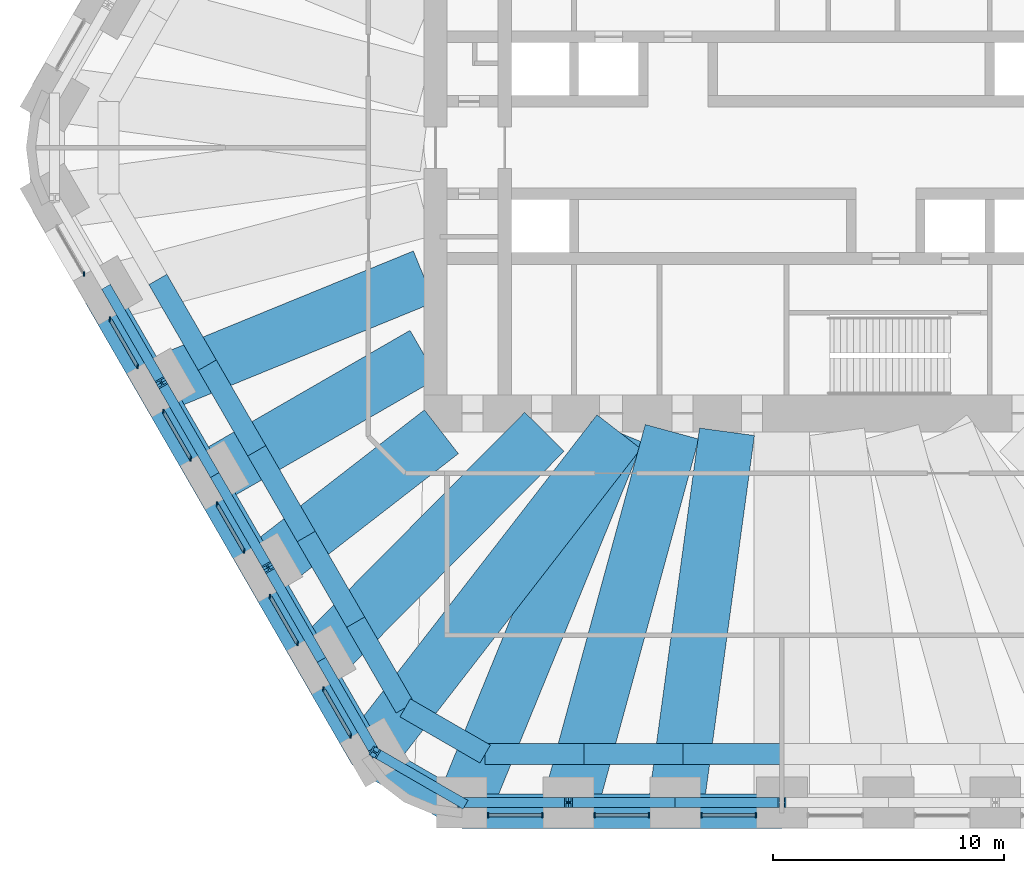
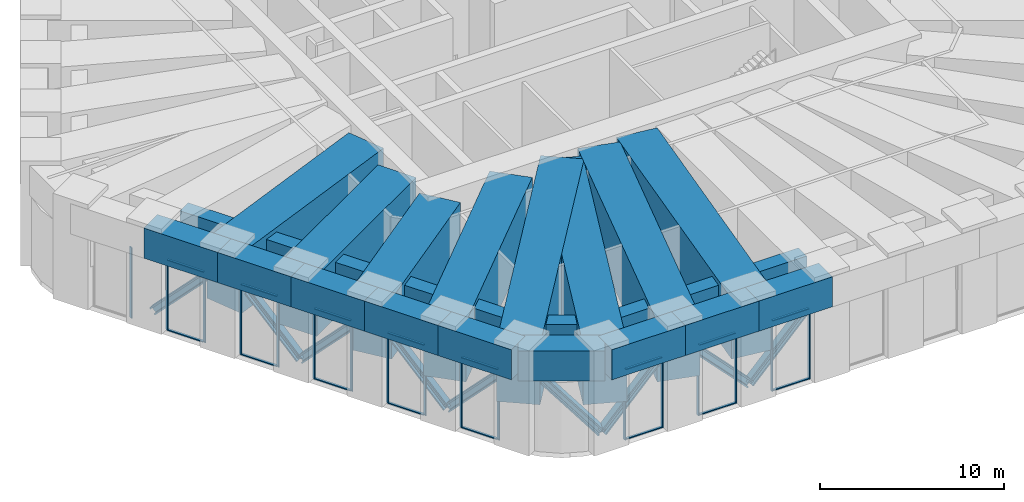
# One storey, part 2 of 14: 42 members, 26 beams, 9 elements without a shape of their own.
"""IFC4 building model written with IfcOpenShell, lengths in metres."""

from ifc_helpers import new_model, si_unit, direction, frame, origin, origin_2d, place, context, subcontext, project, spatial, rectangle, i_section, extrude, material, material_profile, profile_set, type_object, element, aggregate, save


model = new_model("IFC4")

# Units and contexts
model_context = context("Model", 3, precision=1e-05, world=origin(), true_north=direction((0.0, 1.0)))
body_context = subcontext(model_context, "Body", "Model", "MODEL_VIEW")
ifc_project = project(units=[si_unit("LENGTHUNIT", "METRE"), si_unit("AREAUNIT", "SQUARE_METRE"), si_unit("VOLUMEUNIT", "CUBIC_METRE"), si_unit("PLANEANGLEUNIT", "RADIAN"), si_unit("MASSUNIT", "GRAM", prefix="KILO")], contexts=[model_context])

# Site, building, storey
site_placement = place(None, origin())
site = spatial("IfcSite", under=ifc_project, at=site_placement, CompositionType="ELEMENT")
building_placement = place(site_placement, origin())
building = spatial("IfcBuilding", under=site, at=building_placement, Name="Tarfa Lantern Tower", CompositionType="ELEMENT")
storey_placement = place(building_placement, frame((0.0, 0.0, 299.5)))
storey = spatial("IfcBuildingStorey", under=building, at=storey_placement, Name="L68", CompositionType="ELEMENT", Elevation=299.5)

# Members
ifc_material_1 = material(Name="Steel S460M", Category="steel")
ifc_material_profile_1 = material_profile(ifc_material_1, i_section(OverallWidth=0.431884765625, OverallDepth=0.498046875, WebThickness=0.0556640625, FlangeThickness=0.0888671875, FilletRadius=0.02001953125, at=origin_2d()), Name="HD400x744")
ifc_profile_set_1 = profile_set([ifc_material_profile_1], Name="Steel S460M")
member_type_1 = type_object("IfcMemberType", Name="BT3 HD400x744", PredefinedType="BRACE", material=ifc_profile_set_1)
for number, where, z_axis, x_axis, name in (
    (1, (-29.170654296875, -6.175048828125, 0.60009765625), (0.346685053974, -0.600495604642, 0.720565404496), (0.866032426089, 0.499987836815, 0.0), "Belt truss diagonal 23"),
    (2, (-24.5517578125, -14.175048828125, 0.60009765625), (-0.346717299558, 0.600487974203, 0.720556248342), (-0.866009537788, -0.500027479704, 0.0), "Belt truss diagonal 24"),
    (3, (-24.5517578125, -14.175048828125, 0.60009765625), (0.346685053974, -0.600495604642, 0.720565404496), (0.866032426089, 0.499987836815, 0.0), "Belt truss diagonal 25"),
    (4, (-19.93310546875, -22.175048828125, 0.60009765625), (-0.346685053974, 0.600495604642, 0.720565404496), (-0.866032426089, -0.499987836815, 0.0), "Belt truss diagonal 26"),
    (5, (-19.93310546875, -22.175048828125, 0.60009765625), (0.346717299558, -0.600487974203, 0.720556248342), (0.866009537788, 0.500027479704, 0.0), "Belt truss diagonal 27"),
):
    element("IfcMember", number, at=place(storey_placement, frame(where, z_axis=z_axis, x_axis=x_axis)), inside=storey, type_object=member_type_1, Name=name, PredefinedType="BRACE", context=body_context, shape_type="SweptSolid", body=[
        extrude(i_section(OverallWidth=0.431884765625, OverallDepth=0.498046875, WebThickness=0.0556640625, FlangeThickness=0.0888671875, FilletRadius=0.02001953125, at=origin_2d()), origin(), (0.0, 0.0, 1.0), 6.6611328125),
    ])
member_1_placement = place(storey_placement, frame((-13.8564453125, -28.35009765625, 0.60009765625), z_axis=(-0.581552074424, 0.335777539277, 0.740979506363), x_axis=(-0.500020430026, -0.866013608182, 0.0)))
element("IfcMember", 6, at=member_1_placement, inside=storey, type_object=member_type_1, Name="Belt truss diagonal 28", PredefinedType="BRACE", context=body_context, shape_type="SweptSolid", body=[
    extrude(i_section(OverallWidth=0.431884765625, OverallDepth=0.498046875, WebThickness=0.0556640625, FlangeThickness=0.0888671875, FilletRadius=0.02001953125, at=origin_2d()), origin(), (0.0, 0.0, 1.0), 6.4775390625),
])
member_2_placement = place(storey_placement, frame((-13.8564453125, -28.35009765625, 0.60009765625), z_axis=(0.693397247337, 0.0, 0.720555519988), x_axis=(0.0, 1.0, 0.0)))
element("IfcMember", 7, at=member_2_placement, inside=storey, type_object=member_type_1, Name="Belt truss diagonal 29", PredefinedType="BRACE", context=body_context, shape_type="SweptSolid", body=[
    extrude(i_section(OverallWidth=0.431884765625, OverallDepth=0.498046875, WebThickness=0.0556640625, FlangeThickness=0.0888671875, FilletRadius=0.02001953125, at=origin_2d()), origin(), (0.0, 0.0, 1.0), 6.661376953125),
])
member_3_placement = place(storey_placement, frame((-4.618896484375, -28.35009765625, 0.60009765625), z_axis=(-0.693378217486, 0.0, 0.720573832106), x_axis=(0.0, -1.0, 0.0)))
element("IfcMember", 8, at=member_3_placement, inside=storey, type_object=member_type_1, Name="Belt truss diagonal 30", PredefinedType="BRACE", context=body_context, shape_type="SweptSolid", body=[
    extrude(i_section(OverallWidth=0.431884765625, OverallDepth=0.498046875, WebThickness=0.0556640625, FlangeThickness=0.0888671875, FilletRadius=0.02001953125, at=origin_2d()), origin(), (0.0, 0.0, 1.0), 6.6611328125),
])
member_4_placement = place(storey_placement, frame((-4.618896484375, -28.35009765625, 0.60009765625), z_axis=(0.693397247337, 0.0, 0.720555519988), x_axis=(0.0, 1.0, 0.0)))
element("IfcMember", 9, at=member_4_placement, inside=storey, type_object=member_type_1, Name="Belt truss diagonal 31", PredefinedType="BRACE", context=body_context, shape_type="SweptSolid", body=[
    extrude(i_section(OverallWidth=0.431884765625, OverallDepth=0.498046875, WebThickness=0.0556640625, FlangeThickness=0.0888671875, FilletRadius=0.02001953125, at=origin_2d()), origin(), (0.0, 0.0, 1.0), 6.661376953125),
])

# Curtain wall, member
ifc_material_2 = material(Name="Aluminium framed curtain wall", Category="aluminium")
curtain_wall_type = type_object("IfcCurtainWallType", Name="CW6 LOUVRED SCREEN WALL 4700", PredefinedType="USERDEFINED", material=ifc_material_2)
curtain_wall_1_placement = place(storey_placement, origin())
curtain_wall_1 = element("IfcCurtainWall", 10, at=curtain_wall_1_placement, inside=storey, type_object=curtain_wall_type, Name="CW6 SW L68", ObjectType="CURTAIN WALL", PredefinedType="USERDEFINED")
ifc_material_3 = material(Name="Aluminium mullion", Category="aluminium")
ifc_material_profile_2 = material_profile(ifc_material_3, rectangle(XDim=0.06494140625, YDim=0.199951171875, at=origin_2d()), Name="AL MULLION 65x200")
ifc_profile_set_2 = profile_set([ifc_material_profile_2], Name="Aluminium mullion")
member_type_2 = type_object("IfcMemberType", Name="CWM1 MULLION 65x200", PredefinedType="MULLION", material=ifc_profile_set_2)
member_5_placement = place(storey_placement, frame((-30.213134765625, -5.46923828125, 0.0), z_axis=(0.0, 0.0, 1.0), x_axis=(1.0, 0.0, 0.0)))
member_5 = element("IfcMember", 11, at=member_5_placement, type_object=member_type_2, Name="CW6 mullion 2", PredefinedType="MULLION", context=body_context, shape_type="SweptSolid", body=[
    extrude(rectangle(XDim=0.06494140625, YDim=0.199951171875, at=origin_2d()), origin(), (0.0, 0.0, 1.0), 4.699951171875),
])
aggregate(curtain_wall_1, [member_5])

# Curtain wall, members
curtain_wall_2_placement = place(storey_placement, origin())
curtain_wall_2 = element("IfcCurtainWall", 12, at=curtain_wall_2_placement, inside=storey, type_object=curtain_wall_type, Name="CW6 SW L68", ObjectType="CURTAIN WALL", PredefinedType="USERDEFINED")
member_6_placement = place(storey_placement, frame((-29.08056640625, -7.4306640625, 0.0), z_axis=(0.0, 0.0, 1.0), x_axis=(1.0, 0.0, 0.0)))
member_6 = element("IfcMember", 13, at=member_6_placement, type_object=member_type_2, Name="CW6 mullion 1", PredefinedType="MULLION", context=body_context, shape_type="SweptSolid", body=[
    extrude(rectangle(XDim=0.06494140625, YDim=0.199951171875, at=origin_2d()), origin(), (0.0, 0.0, 1.0), 4.699951171875),
])
member_7_placement = place(storey_placement, frame((-27.90380859375, -9.46923828125, 0.0), z_axis=(0.0, 0.0, 1.0), x_axis=(1.0, 0.0, 0.0)))
member_7 = element("IfcMember", 14, at=member_7_placement, type_object=member_type_2, Name="CW6 mullion 2", PredefinedType="MULLION", context=body_context, shape_type="SweptSolid", body=[
    extrude(rectangle(XDim=0.06494140625, YDim=0.199951171875, at=origin_2d()), origin(), (0.0, 0.0, 1.0), 4.699951171875),
])

curtain_wall_3_placement = place(storey_placement, origin())
curtain_wall_3 = element("IfcCurtainWall", 15, at=curtain_wall_3_placement, inside=storey, type_object=curtain_wall_type, Name="CW6 SW L68", ObjectType="CURTAIN WALL", PredefinedType="USERDEFINED")
member_8_placement = place(storey_placement, frame((-26.771240234375, -11.4306640625, 0.0), z_axis=(0.0, 0.0, 1.0), x_axis=(1.0, 0.0, 0.0)))
member_8 = element("IfcMember", 16, at=member_8_placement, type_object=member_type_2, Name="CW6 mullion 1", PredefinedType="MULLION", context=body_context, shape_type="SweptSolid", body=[
    extrude(rectangle(XDim=0.06494140625, YDim=0.199951171875, at=origin_2d()), origin(), (0.0, 0.0, 1.0), 4.699951171875),
])
member_9_placement = place(storey_placement, frame((-25.594482421875, -13.46923828125, 0.0), z_axis=(0.0, 0.0, 1.0), x_axis=(1.0, 0.0, 0.0)))
member_9 = element("IfcMember", 17, at=member_9_placement, type_object=member_type_2, Name="CW6 mullion 2", PredefinedType="MULLION", context=body_context, shape_type="SweptSolid", body=[
    extrude(rectangle(XDim=0.06494140625, YDim=0.199951171875, at=origin_2d()), origin(), (0.0, 0.0, 1.0), 4.699951171875),
])

curtain_wall_4_placement = place(storey_placement, origin())
curtain_wall_4 = element("IfcCurtainWall", 18, at=curtain_wall_4_placement, inside=storey, type_object=curtain_wall_type, Name="CW6 SW L68", ObjectType="CURTAIN WALL", PredefinedType="USERDEFINED")
member_10_placement = place(storey_placement, frame((-24.4619140625, -15.4306640625, 0.0), z_axis=(0.0, 0.0, 1.0), x_axis=(1.0, 0.0, 0.0)))
member_10 = element("IfcMember", 19, at=member_10_placement, type_object=member_type_2, Name="CW6 mullion 1", PredefinedType="MULLION", context=body_context, shape_type="SweptSolid", body=[
    extrude(rectangle(XDim=0.06494140625, YDim=0.199951171875, at=origin_2d()), origin(), (0.0, 0.0, 1.0), 4.699951171875),
])
member_11_placement = place(storey_placement, frame((-23.284912109375, -17.46923828125, 0.0), z_axis=(0.0, 0.0, 1.0), x_axis=(1.0, 0.0, 0.0)))
member_11 = element("IfcMember", 20, at=member_11_placement, type_object=member_type_2, Name="CW6 mullion 2", PredefinedType="MULLION", context=body_context, shape_type="SweptSolid", body=[
    extrude(rectangle(XDim=0.06494140625, YDim=0.199951171875, at=origin_2d()), origin(), (0.0, 0.0, 1.0), 4.699951171875),
])

curtain_wall_5_placement = place(storey_placement, origin())
curtain_wall_5 = element("IfcCurtainWall", 21, at=curtain_wall_5_placement, inside=storey, type_object=curtain_wall_type, Name="CW6 SW L68", ObjectType="CURTAIN WALL", PredefinedType="USERDEFINED")
member_12_placement = place(storey_placement, frame((-22.152587890625, -19.4306640625, 0.0), z_axis=(0.0, 0.0, 1.0), x_axis=(1.0, 0.0, 0.0)))
member_12 = element("IfcMember", 22, at=member_12_placement, type_object=member_type_2, Name="CW6 mullion 1", PredefinedType="MULLION", context=body_context, shape_type="SweptSolid", body=[
    extrude(rectangle(XDim=0.06494140625, YDim=0.199951171875, at=origin_2d()), origin(), (0.0, 0.0, 1.0), 4.699951171875),
])
member_13_placement = place(storey_placement, frame((-20.9755859375, -21.46923828125, 0.0), z_axis=(0.0, 0.0, 1.0), x_axis=(1.0, 0.0, 0.0)))
member_13 = element("IfcMember", 23, at=member_13_placement, type_object=member_type_2, Name="CW6 mullion 2", PredefinedType="MULLION", context=body_context, shape_type="SweptSolid", body=[
    extrude(rectangle(XDim=0.06494140625, YDim=0.199951171875, at=origin_2d()), origin(), (0.0, 0.0, 1.0), 4.699951171875),
])

curtain_wall_6_placement = place(storey_placement, origin())
curtain_wall_6 = element("IfcCurtainWall", 24, at=curtain_wall_6_placement, inside=storey, type_object=curtain_wall_type, Name="CW6 SW L68", ObjectType="CURTAIN WALL", PredefinedType="USERDEFINED")
member_14_placement = place(storey_placement, frame((-19.843017578125, -23.4306640625, 0.0), z_axis=(0.0, 0.0, 1.0), x_axis=(1.0, 0.0, 0.0)))
member_14 = element("IfcMember", 25, at=member_14_placement, type_object=member_type_2, Name="CW6 mullion 1", PredefinedType="MULLION", context=body_context, shape_type="SweptSolid", body=[
    extrude(rectangle(XDim=0.06494140625, YDim=0.199951171875, at=origin_2d()), origin(), (0.0, 0.0, 1.0), 4.699951171875),
])
member_15_placement = place(storey_placement, frame((-18.666259765625, -25.46923828125, 0.0), z_axis=(0.0, 0.0, 1.0), x_axis=(1.0, 0.0, 0.0)))
member_15 = element("IfcMember", 26, at=member_15_placement, type_object=member_type_2, Name="CW6 mullion 2", PredefinedType="MULLION", context=body_context, shape_type="SweptSolid", body=[
    extrude(rectangle(XDim=0.06494140625, YDim=0.199951171875, at=origin_2d()), origin(), (0.0, 0.0, 1.0), 4.699951171875),
])

curtain_wall_7_placement = place(storey_placement, origin())
curtain_wall_7 = element("IfcCurtainWall", 27, at=curtain_wall_7_placement, inside=storey, type_object=curtain_wall_type, Name="CW6 S L68", ObjectType="CURTAIN WALL", PredefinedType="USERDEFINED")
member_16_placement = place(storey_placement, frame((-12.723876953125, -28.89990234375, 0.0), z_axis=(0.0, 0.0, 1.0), x_axis=(1.0, 0.0, 0.0)))
member_16 = element("IfcMember", 28, at=member_16_placement, type_object=member_type_2, Name="CW6 mullion 1", PredefinedType="MULLION", context=body_context, shape_type="SweptSolid", body=[
    extrude(rectangle(XDim=0.06494140625, YDim=0.199951171875, at=origin_2d()), origin(), (0.0, 0.0, 1.0), 4.699951171875),
])
member_17_placement = place(storey_placement, frame((-10.3701171875, -28.89990234375, 0.0), z_axis=(0.0, 0.0, 1.0), x_axis=(1.0, 0.0, 0.0)))
member_17 = element("IfcMember", 29, at=member_17_placement, type_object=member_type_2, Name="CW6 mullion 2", PredefinedType="MULLION", context=body_context, shape_type="SweptSolid", body=[
    extrude(rectangle(XDim=0.06494140625, YDim=0.199951171875, at=origin_2d()), origin(), (0.0, 0.0, 1.0), 4.699951171875),
])

curtain_wall_8_placement = place(storey_placement, origin())
curtain_wall_8 = element("IfcCurtainWall", 30, at=curtain_wall_8_placement, inside=storey, type_object=curtain_wall_type, Name="CW6 S L68", ObjectType="CURTAIN WALL", PredefinedType="USERDEFINED")
member_18_placement = place(storey_placement, frame((-8.105224609375, -28.89990234375, 0.0), z_axis=(0.0, 0.0, 1.0), x_axis=(1.0, 0.0, 0.0)))
member_18 = element("IfcMember", 31, at=member_18_placement, type_object=member_type_2, Name="CW6 mullion 1", PredefinedType="MULLION", context=body_context, shape_type="SweptSolid", body=[
    extrude(rectangle(XDim=0.06494140625, YDim=0.199951171875, at=origin_2d()), origin(), (0.0, 0.0, 1.0), 4.699951171875),
])
member_19_placement = place(storey_placement, frame((-5.751220703125, -28.89990234375, 0.0), z_axis=(0.0, 0.0, 1.0), x_axis=(1.0, 0.0, 0.0)))
member_19 = element("IfcMember", 32, at=member_19_placement, type_object=member_type_2, Name="CW6 mullion 2", PredefinedType="MULLION", context=body_context, shape_type="SweptSolid", body=[
    extrude(rectangle(XDim=0.06494140625, YDim=0.199951171875, at=origin_2d()), origin(), (0.0, 0.0, 1.0), 4.699951171875),
])

curtain_wall_9_placement = place(storey_placement, origin())
curtain_wall_9 = element("IfcCurtainWall", 33, at=curtain_wall_9_placement, inside=storey, type_object=curtain_wall_type, Name="CW6 S L68", ObjectType="CURTAIN WALL", PredefinedType="USERDEFINED")
member_20_placement = place(storey_placement, frame((-3.486328125, -28.89990234375, 0.0), z_axis=(0.0, 0.0, 1.0), x_axis=(1.0, 0.0, 0.0)))
member_20 = element("IfcMember", 34, at=member_20_placement, type_object=member_type_2, Name="CW6 mullion 1", PredefinedType="MULLION", context=body_context, shape_type="SweptSolid", body=[
    extrude(rectangle(XDim=0.06494140625, YDim=0.199951171875, at=origin_2d()), origin(), (0.0, 0.0, 1.0), 4.699951171875),
])
member_21_placement = place(storey_placement, frame((-1.132568359375, -28.89990234375, 0.0), z_axis=(0.0, 0.0, 1.0), x_axis=(1.0, 0.0, 0.0)))
member_21 = element("IfcMember", 35, at=member_21_placement, type_object=member_type_2, Name="CW6 mullion 2", PredefinedType="MULLION", context=body_context, shape_type="SweptSolid", body=[
    extrude(rectangle(XDim=0.06494140625, YDim=0.199951171875, at=origin_2d()), origin(), (0.0, 0.0, 1.0), 4.699951171875),
])

# Member
ifc_material_4 = material(Name="Aluminium transom", Category="aluminium")
ifc_material_profile_3 = material_profile(ifc_material_4, rectangle(XDim=0.14990234375, YDim=0.06494140625, at=origin_2d()), Name="AL TRANSOM 150x65")
ifc_profile_set_3 = profile_set([ifc_material_profile_3], Name="Aluminium transom")
member_type_3 = type_object("IfcMemberType", Name="CWT1 TRANSOM 150x65", PredefinedType="USERDEFINED", material=ifc_profile_set_3)
member_22_placement = place(storey_placement, frame((-29.064453125, -7.458984375, 0.032470703125), z_axis=(0.500039451542, -0.866002625228, 0.0), x_axis=(0.866002625228, 0.500039451542, 0.0)))
member_22 = element("IfcMember", 36, at=member_22_placement, type_object=member_type_3, Name="CW6 transom 1.1", ObjectType="TRANSOM", PredefinedType="USERDEFINED", context=body_context, shape_type="SweptSolid", body=[
    extrude(rectangle(XDim=0.14990234375, YDim=0.06494140625, at=origin_2d()), origin(), (0.0, 0.0, 1.0), 2.288818359375),
])

member_23_placement = place(storey_placement, frame((-29.064453125, -7.458984375, 4.66748046875), z_axis=(0.500039451542, -0.866002625228, 0.0), x_axis=(0.866002625228, 0.500039451542, 0.0)))
member_23 = element("IfcMember", 37, at=member_23_placement, type_object=member_type_3, Name="CW6 transom 1.2", ObjectType="TRANSOM", PredefinedType="USERDEFINED", context=body_context, shape_type="SweptSolid", body=[
    extrude(rectangle(XDim=0.14990234375, YDim=0.06494140625, at=origin_2d()), origin(), (0.0, 0.0, 1.0), 2.288818359375),
])

aggregate(curtain_wall_2, [member_6, member_7, member_22, member_23])

member_24_placement = place(storey_placement, frame((-26.755126953125, -11.458984375, 0.032470703125), z_axis=(0.500039451542, -0.866002625228, 0.0), x_axis=(0.866002625228, 0.500039451542, 0.0)))
member_24 = element("IfcMember", 38, at=member_24_placement, type_object=member_type_3, Name="CW6 transom 1.1", ObjectType="TRANSOM", PredefinedType="USERDEFINED", context=body_context, shape_type="SweptSolid", body=[
    extrude(rectangle(XDim=0.14990234375, YDim=0.06494140625, at=origin_2d()), origin(), (0.0, 0.0, 1.0), 2.288818359375),
])

member_25_placement = place(storey_placement, frame((-26.755126953125, -11.458984375, 4.66748046875), z_axis=(0.500039451542, -0.866002625228, 0.0), x_axis=(0.866002625228, 0.500039451542, 0.0)))
member_25 = element("IfcMember", 39, at=member_25_placement, type_object=member_type_3, Name="CW6 transom 1.2", ObjectType="TRANSOM", PredefinedType="USERDEFINED", context=body_context, shape_type="SweptSolid", body=[
    extrude(rectangle(XDim=0.14990234375, YDim=0.06494140625, at=origin_2d()), origin(), (0.0, 0.0, 1.0), 2.288818359375),
])

aggregate(curtain_wall_3, [member_8, member_9, member_24, member_25])

member_26_placement = place(storey_placement, frame((-24.445556640625, -15.458984375, 0.032470703125), z_axis=(0.499959451571, -0.866048813165, 0.0), x_axis=(0.866048813165, 0.499959451571, 0.0)))
member_26 = element("IfcMember", 40, at=member_26_placement, type_object=member_type_3, Name="CW6 transom 1.1", ObjectType="TRANSOM", PredefinedType="USERDEFINED", context=body_context, shape_type="SweptSolid", body=[
    extrude(rectangle(XDim=0.14990234375, YDim=0.06494140625, at=origin_2d()), origin(), (0.0, 0.0, 1.0), 2.288818359375),
])

member_27_placement = place(storey_placement, frame((-24.445556640625, -15.458984375, 4.66748046875), z_axis=(0.499959451571, -0.866048813165, 0.0), x_axis=(0.866048813165, 0.499959451571, 0.0)))
member_27 = element("IfcMember", 41, at=member_27_placement, type_object=member_type_3, Name="CW6 transom 1.2", ObjectType="TRANSOM", PredefinedType="USERDEFINED", context=body_context, shape_type="SweptSolid", body=[
    extrude(rectangle(XDim=0.14990234375, YDim=0.06494140625, at=origin_2d()), origin(), (0.0, 0.0, 1.0), 2.288818359375),
])

aggregate(curtain_wall_4, [member_10, member_11, member_26, member_27])

member_28_placement = place(storey_placement, frame((-22.13623046875, -19.458984375, 0.032470703125), z_axis=(0.499959451571, -0.866048813165, 0.0), x_axis=(0.866048813165, 0.499959451571, 0.0)))
member_28 = element("IfcMember", 42, at=member_28_placement, type_object=member_type_3, Name="CW6 transom 1.1", ObjectType="TRANSOM", PredefinedType="USERDEFINED", context=body_context, shape_type="SweptSolid", body=[
    extrude(rectangle(XDim=0.14990234375, YDim=0.06494140625, at=origin_2d()), origin(), (0.0, 0.0, 1.0), 2.288818359375),
])

member_29_placement = place(storey_placement, frame((-22.13623046875, -19.458984375, 4.66748046875), z_axis=(0.499959451571, -0.866048813165, 0.0), x_axis=(0.866048813165, 0.499959451571, 0.0)))
member_29 = element("IfcMember", 43, at=member_29_placement, type_object=member_type_3, Name="CW6 transom 1.2", ObjectType="TRANSOM", PredefinedType="USERDEFINED", context=body_context, shape_type="SweptSolid", body=[
    extrude(rectangle(XDim=0.14990234375, YDim=0.06494140625, at=origin_2d()), origin(), (0.0, 0.0, 1.0), 2.288818359375),
])

aggregate(curtain_wall_5, [member_12, member_13, member_28, member_29])

member_30_placement = place(storey_placement, frame((-19.826904296875, -23.458984375, 0.032470703125), z_axis=(0.500039451542, -0.866002625228, 0.0), x_axis=(0.866002625228, 0.500039451542, 0.0)))
member_30 = element("IfcMember", 44, at=member_30_placement, type_object=member_type_3, Name="CW6 transom 1.1", ObjectType="TRANSOM", PredefinedType="USERDEFINED", context=body_context, shape_type="SweptSolid", body=[
    extrude(rectangle(XDim=0.14990234375, YDim=0.06494140625, at=origin_2d()), origin(), (0.0, 0.0, 1.0), 2.288818359375),
])

member_31_placement = place(storey_placement, frame((-19.826904296875, -23.458984375, 4.66748046875), z_axis=(0.500039451542, -0.866002625228, 0.0), x_axis=(0.866002625228, 0.500039451542, 0.0)))
member_31 = element("IfcMember", 45, at=member_31_placement, type_object=member_type_3, Name="CW6 transom 1.2", ObjectType="TRANSOM", PredefinedType="USERDEFINED", context=body_context, shape_type="SweptSolid", body=[
    extrude(rectangle(XDim=0.14990234375, YDim=0.06494140625, at=origin_2d()), origin(), (0.0, 0.0, 1.0), 2.288818359375),
])

aggregate(curtain_wall_6, [member_14, member_15, member_30, member_31])

member_32_placement = place(storey_placement, frame((-12.69140625, -28.89990234375, 0.032470703125), z_axis=(1.0, 0.0, 0.0), x_axis=(0.0, 1.0, 0.0)))
member_32 = element("IfcMember", 46, at=member_32_placement, type_object=member_type_3, Name="CW6 transom 1.1", ObjectType="TRANSOM", PredefinedType="USERDEFINED", context=body_context, shape_type="SweptSolid", body=[
    extrude(rectangle(XDim=0.14990234375, YDim=0.06494140625, at=origin_2d()), origin(), (0.0, 0.0, 1.0), 2.288818359375),
])

member_33_placement = place(storey_placement, frame((-12.69140625, -28.89990234375, 4.66748046875), z_axis=(1.0, 0.0, 0.0), x_axis=(0.0, 1.0, 0.0)))
member_33 = element("IfcMember", 47, at=member_33_placement, type_object=member_type_3, Name="CW6 transom 1.2", ObjectType="TRANSOM", PredefinedType="USERDEFINED", context=body_context, shape_type="SweptSolid", body=[
    extrude(rectangle(XDim=0.14990234375, YDim=0.06494140625, at=origin_2d()), origin(), (0.0, 0.0, 1.0), 2.288818359375),
])

aggregate(curtain_wall_7, [member_16, member_17, member_32, member_33])

member_34_placement = place(storey_placement, frame((-8.072509765625, -28.89990234375, 0.032470703125), z_axis=(1.0, 0.0, 0.0), x_axis=(0.0, 1.0, 0.0)))
member_34 = element("IfcMember", 48, at=member_34_placement, type_object=member_type_3, Name="CW6 transom 1.1", ObjectType="TRANSOM", PredefinedType="USERDEFINED", context=body_context, shape_type="SweptSolid", body=[
    extrude(rectangle(XDim=0.14990234375, YDim=0.06494140625, at=origin_2d()), origin(), (0.0, 0.0, 1.0), 2.288818359375),
])

member_35_placement = place(storey_placement, frame((-8.072509765625, -28.89990234375, 4.66748046875), z_axis=(1.0, 0.0, 0.0), x_axis=(0.0, 1.0, 0.0)))
member_35 = element("IfcMember", 49, at=member_35_placement, type_object=member_type_3, Name="CW6 transom 1.2", ObjectType="TRANSOM", PredefinedType="USERDEFINED", context=body_context, shape_type="SweptSolid", body=[
    extrude(rectangle(XDim=0.14990234375, YDim=0.06494140625, at=origin_2d()), origin(), (0.0, 0.0, 1.0), 2.288818359375),
])

aggregate(curtain_wall_8, [member_18, member_19, member_34, member_35])

member_36_placement = place(storey_placement, frame((-3.453857421875, -28.89990234375, 0.032470703125), z_axis=(1.0, 0.0, 0.0), x_axis=(0.0, 1.0, 0.0)))
member_36 = element("IfcMember", 50, at=member_36_placement, type_object=member_type_3, Name="CW6 transom 1.1", ObjectType="TRANSOM", PredefinedType="USERDEFINED", context=body_context, shape_type="SweptSolid", body=[
    extrude(rectangle(XDim=0.14990234375, YDim=0.06494140625, at=origin_2d()), origin(), (0.0, 0.0, 1.0), 2.288818359375),
])

member_37_placement = place(storey_placement, frame((-3.453857421875, -28.89990234375, 4.66748046875), z_axis=(1.0, 0.0, 0.0), x_axis=(0.0, 1.0, 0.0)))
member_37 = element("IfcMember", 51, at=member_37_placement, type_object=member_type_3, Name="CW6 transom 1.2", ObjectType="TRANSOM", PredefinedType="USERDEFINED", context=body_context, shape_type="SweptSolid", body=[
    extrude(rectangle(XDim=0.14990234375, YDim=0.06494140625, at=origin_2d()), origin(), (0.0, 0.0, 1.0), 2.288818359375),
])

aggregate(curtain_wall_9, [member_20, member_21, member_36, member_37])

# Beams
ifc_material_5 = material(Name="Concrete C80/95", Category="concrete")
ifc_material_profile_4 = material_profile(ifc_material_5, rectangle(XDim=1.5, YDim=2.0, at=origin_2d()), Name="RC 1500x2000")
ifc_profile_set_4 = profile_set([ifc_material_profile_4], Name="Concrete C80/95")
beam_type_1 = type_object("IfcBeamType", Name="RB3 RC 1500x2000", PredefinedType="BEAM", material=ifc_profile_set_4)
for number, where, z_axis, x_axis, name in (
    (52, (-29.490966796875, -6.360107421875, 5.699951171875), (0.499987836815, -0.866032426089, 0.0), (0.866032426089, 0.499987836815, 0.0), "Edge beam SW1"),
    (53, (-27.181640625, -10.360107421875, 5.699951171875), (0.499987836815, -0.866032426089, 0.0), (0.866032426089, 0.499987836815, 0.0), "Edge beam SW2"),
):
    element("IfcBeam", number, at=place(storey_placement, frame(where, z_axis=z_axis, x_axis=x_axis)), inside=storey, type_object=beam_type_1, Name=name, PredefinedType="BEAM", context=body_context, shape_type="SweptSolid", body=[
        extrude(rectangle(XDim=1.5, YDim=2.0, at=origin_2d()), origin(), (0.0, 0.0, 1.0), 4.61865234375),
    ])
beam_1_placement = place(storey_placement, frame((-24.872314453125, -14.360107421875, 5.699951171875), z_axis=(0.500027479704, -0.866009537788, 0.0), x_axis=(0.866009537788, 0.500027479704, 0.0)))
element("IfcBeam", 54, at=beam_1_placement, inside=storey, type_object=beam_type_1, Name="Edge beam SW3", PredefinedType="BEAM", context=body_context, shape_type="SweptSolid", body=[
    extrude(rectangle(XDim=1.5, YDim=2.0, at=origin_2d()), origin(), (0.0, 0.0, 1.0), 4.618896484375),
])
for number, where, z_axis, x_axis, name in (
    (55, (-22.562744140625, -18.360107421875, 5.699951171875), (0.499987836815, -0.866032426089, 0.0), (0.866032426089, 0.499987836815, 0.0), "Edge beam SW4"),
    (56, (-20.25341796875, -22.360107421875, 5.699951171875), (0.499987836815, -0.866032426089, 0.0), (0.866032426089, 0.499987836815, 0.0), "Edge beam SW5"),
):
    element("IfcBeam", number, at=place(storey_placement, frame(where, z_axis=z_axis, x_axis=x_axis)), inside=storey, type_object=beam_type_1, Name=name, PredefinedType="BEAM", context=body_context, shape_type="SweptSolid", body=[
        extrude(rectangle(XDim=1.5, YDim=2.0, at=origin_2d()), origin(), (0.0, 0.0, 1.0), 4.61865234375),
    ])
beam_2_placement = place(storey_placement, frame((-17.944091796875, -26.360107421875, 5.699951171875), z_axis=(0.866038294681, -0.499977671647, 0.0), x_axis=(0.499977671647, 0.866038294681, 0.0)))
element("IfcBeam", 57, at=beam_2_placement, inside=storey, type_object=beam_type_1, Name="Edge beam SW6", PredefinedType="BEAM", context=body_context, shape_type="SweptSolid", body=[
    extrude(rectangle(XDim=1.5, YDim=2.0, at=origin_2d()), origin(), (0.0, 0.0, 1.0), 4.719970703125),
])
beam_3_placement = place(storey_placement, frame((-13.8564453125, -28.719970703125, 5.699951171875), z_axis=(1.0, 0.0, 0.0), x_axis=(0.0, 1.0, 0.0)))
element("IfcBeam", 58, at=beam_3_placement, inside=storey, type_object=beam_type_1, Name="Edge beam S0", PredefinedType="BEAM", context=body_context, shape_type="SweptSolid", body=[
    extrude(rectangle(XDim=1.5, YDim=2.0, at=origin_2d()), origin(), (0.0, 0.0, 1.0), 4.618896484375),
])
beam_4_placement = place(storey_placement, frame((-9.237548828125, -28.719970703125, 5.699951171875), z_axis=(1.0, 0.0, 0.0), x_axis=(0.0, 1.0, 0.0)))
element("IfcBeam", 59, at=beam_4_placement, inside=storey, type_object=beam_type_1, Name="Edge beam S1", PredefinedType="BEAM", context=body_context, shape_type="SweptSolid", body=[
    extrude(rectangle(XDim=1.5, YDim=2.0, at=origin_2d()), origin(), (0.0, 0.0, 1.0), 4.61865234375),
])
beam_5_placement = place(storey_placement, frame((-4.618896484375, -28.719970703125, 5.699951171875), z_axis=(1.0, 0.0, 0.0), x_axis=(0.0, 1.0, 0.0)))
element("IfcBeam", 60, at=beam_5_placement, inside=storey, type_object=beam_type_1, Name="Edge beam S2", PredefinedType="BEAM", context=body_context, shape_type="SweptSolid", body=[
    extrude(rectangle(XDim=1.5, YDim=2.0, at=origin_2d()), origin(), (0.0, 0.0, 1.0), 4.618896484375),
])
ifc_material_profile_5 = material_profile(ifc_material_5, rectangle(XDim=0.89990234375, YDim=3.39990234375, at=origin_2d()), Name="RC 900x3400")
ifc_profile_set_5 = profile_set([ifc_material_profile_5], Name="Concrete C80/95")
beam_type_2 = type_object("IfcBeamType", Name="RG3 RC 900x3400", PredefinedType="BEAM", material=ifc_profile_set_5)
for number, where, z_axis, x_axis, name in (
    (61, (-27.01513671875, -5.708251953125, 4.699951171875), (0.499959351497, -0.866048870937, 0.0), (0.866048870937, 0.499959351497, 0.0), "Ring girder SW1"),
    (62, (-24.874267578125, -9.416748046875, 4.699951171875), (0.500026801138, -0.866009929587, 0.0), (0.866009929587, 0.500026801138, 0.0), "Ring girder SW2"),
    (63, (-22.733154296875, -13.125, 4.699951171875), (0.500026801138, -0.866009929587, 0.0), (0.866009929587, 0.500026801138, 0.0), "Ring girder SW3"),
    (64, (-20.592041015625, -16.833251953125, 4.699951171875), (0.499959351497, -0.866048870937, 0.0), (0.866048870937, 0.499959351497, 0.0), "Ring girder SW4"),
    (65, (-18.451171875, -20.541748046875, 4.699951171875), (0.500026801138, -0.866009929587, 0.0), (0.866009929587, 0.500026801138, 0.0), "Ring girder SW5"),
):
    element("IfcBeam", number, at=place(storey_placement, frame(where, z_axis=z_axis, x_axis=x_axis)), inside=storey, type_object=beam_type_2, Name=name, PredefinedType="BEAM", context=body_context, shape_type="SweptSolid", body=[
        extrude(rectangle(XDim=0.89990234375, YDim=3.39990234375, at=origin_2d()), origin(), (0.0, 0.0, 1.0), 4.281982421875),
    ])
beam_6_placement = place(storey_placement, frame((-16.31005859375, -24.25, 4.699951171875), z_axis=(0.866026010844, -0.49999894854, 0.0), x_axis=(0.49999894854, 0.866026010844, 0.0)))
element("IfcBeam", 66, at=beam_6_placement, inside=storey, type_object=beam_type_2, Name="Ring girder SW6", PredefinedType="BEAM", context=body_context, shape_type="SweptSolid", body=[
    extrude(rectangle(XDim=0.89990234375, YDim=3.39990234375, at=origin_2d()), origin(), (0.0, 0.0, 1.0), 4.0),
])
for number, where, z_axis, x_axis, name in (
    (67, (-12.845947265625, -26.25, 4.699951171875), (1.0, 0.0, 0.0), (0.0, 1.0, 0.0), "Ring girder S0"),
    (68, (-8.56396484375, -26.25, 4.699951171875), (1.0, 0.0, 0.0), (0.0, 1.0, 0.0), "Ring girder S1"),
    (69, (-4.281982421875, -26.25, 4.699951171875), (1.0, 0.0, 0.0), (0.0, 1.0, 0.0), "Ring girder S2"),
):
    element("IfcBeam", number, at=place(storey_placement, frame(where, z_axis=z_axis, x_axis=x_axis)), inside=storey, type_object=beam_type_2, Name=name, PredefinedType="BEAM", context=body_context, shape_type="SweptSolid", body=[
        extrude(rectangle(XDim=0.89990234375, YDim=3.39990234375, at=origin_2d()), origin(), (0.0, 0.0, 1.0), 4.281982421875),
    ])
ifc_material_profile_6 = material_profile(ifc_material_5, rectangle(XDim=2.39990234375, YDim=4.0, at=origin_2d()), Name="RC 2400x4000")
ifc_profile_set_6 = profile_set([ifc_material_profile_6], Name="Concrete C80/95")
beam_type_3 = type_object("IfcBeamType", Name="TG3 RC 2400x4000", PredefinedType="BEAM", material=ifc_profile_set_6)
beam_7_placement = place(storey_placement, frame((-27.181640625, -10.360107421875, 4.699951171875), z_axis=(0.925636295671, 0.3784143868, 0.0), x_axis=(-0.3784143868, 0.925636295671, 0.0)))
element("IfcBeam", 70, at=beam_7_placement, inside=storey, type_object=beam_type_3, Name="Transfer girder SW2", PredefinedType="BEAM", context=body_context, shape_type="SweptSolid", body=[
    extrude(rectangle(XDim=2.39990234375, YDim=4.0, at=origin_2d()), origin(), (0.0, 0.0, 1.0), 12.6201171875),
])
beam_8_placement = place(storey_placement, frame((-24.872314453125, -14.360107421875, 4.699951171875), z_axis=(0.8660244219, 0.500001700669, 0.0), x_axis=(-0.500001700669, 0.8660244219, 0.0)))
element("IfcBeam", 71, at=beam_8_placement, inside=storey, type_object=beam_type_3, Name="Transfer girder SW3", PredefinedType="BEAM", context=body_context, shape_type="SweptSolid", body=[
    extrude(rectangle(XDim=2.39990234375, YDim=4.0, at=origin_2d()), origin(), (0.0, 0.0, 1.0), 10.822265625),
])
beam_9_placement = place(storey_placement, frame((-22.562744140625, -18.360107421875, 4.699951171875), z_axis=(0.79053181074, 0.612420979563, 0.0), x_axis=(-0.612420979563, 0.79053181074, 0.0)))
element("IfcBeam", 72, at=beam_9_placement, inside=storey, type_object=beam_type_3, Name="Transfer girder SW4", PredefinedType="BEAM", context=body_context, shape_type="SweptSolid", body=[
    extrude(rectangle(XDim=2.39990234375, YDim=4.0, at=origin_2d()), origin(), (0.0, 0.0, 1.0), 9.895263671875),
])
beam_10_placement = place(storey_placement, frame((-20.25341796875, -22.360107421875, 4.699951171875), z_axis=(0.703962825623, 0.710236819759, 0.0), x_axis=(-0.710236819759, 0.703962825623, 0.0)))
element("IfcBeam", 73, at=beam_10_placement, inside=storey, type_object=beam_type_3, Name="Transfer girder SW5", PredefinedType="BEAM", context=body_context, shape_type="SweptSolid", body=[
    extrude(rectangle(XDim=2.39990234375, YDim=4.0, at=origin_2d()), origin(), (0.0, 0.0, 1.0), 14.164306640625),
])
beam_11_placement = place(storey_placement, frame((-17.944091796875, -26.360107421875, 4.699951171875), z_axis=(0.612252108076, 0.790662605766, 0.0), x_axis=(-0.790662605766, 0.612252108076, 0.0)))
element("IfcBeam", 74, at=beam_11_placement, inside=storey, type_object=beam_type_3, Name="Transfer girder SW6", PredefinedType="BEAM", context=body_context, shape_type="SweptSolid", body=[
    extrude(rectangle(XDim=2.39990234375, YDim=4.0, at=origin_2d()), origin(), (0.0, 0.0, 1.0), 17.78271484375),
])
beam_12_placement = place(storey_placement, frame((-13.8564453125, -28.719970703125, 4.699951171875), z_axis=(0.378611411494, 0.925555724463, 0.0), x_axis=(-0.925555724463, 0.378611411494, 0.0)))
element("IfcBeam", 75, at=beam_12_placement, inside=storey, type_object=beam_type_3, Name="Transfer girder S0", PredefinedType="BEAM", context=body_context, shape_type="SweptSolid", body=[
    extrude(rectangle(XDim=2.39990234375, YDim=4.0, at=origin_2d()), origin(), (0.0, 0.0, 1.0), 17.74072265625),
])
beam_13_placement = place(storey_placement, frame((-9.237548828125, -28.719970703125, 4.699951171875), z_axis=(0.263096771383, 0.964769448567, 0.0), x_axis=(-0.964769448567, 0.263096771383, 0.0)))
element("IfcBeam", 76, at=beam_13_placement, inside=storey, type_object=beam_type_3, Name="Transfer girder S1", PredefinedType="BEAM", context=body_context, shape_type="SweptSolid", body=[
    extrude(rectangle(XDim=2.39990234375, YDim=4.0, at=origin_2d()), origin(), (0.0, 0.0, 1.0), 17.01953125),
])
beam_14_placement = place(storey_placement, frame((-4.618896484375, -28.719970703125, 4.699951171875), z_axis=(0.135109260201, 0.990830705927, 0.0), x_axis=(-0.990830705927, 0.135109260201, 0.0)))
element("IfcBeam", 77, at=beam_14_placement, inside=storey, type_object=beam_type_3, Name="Transfer girder S2", PredefinedType="BEAM", context=body_context, shape_type="SweptSolid", body=[
    extrude(rectangle(XDim=2.39990234375, YDim=4.0, at=origin_2d()), origin(), (0.0, 0.0, 1.0), 16.57177734375),
])

save(model, "model.ifc")
